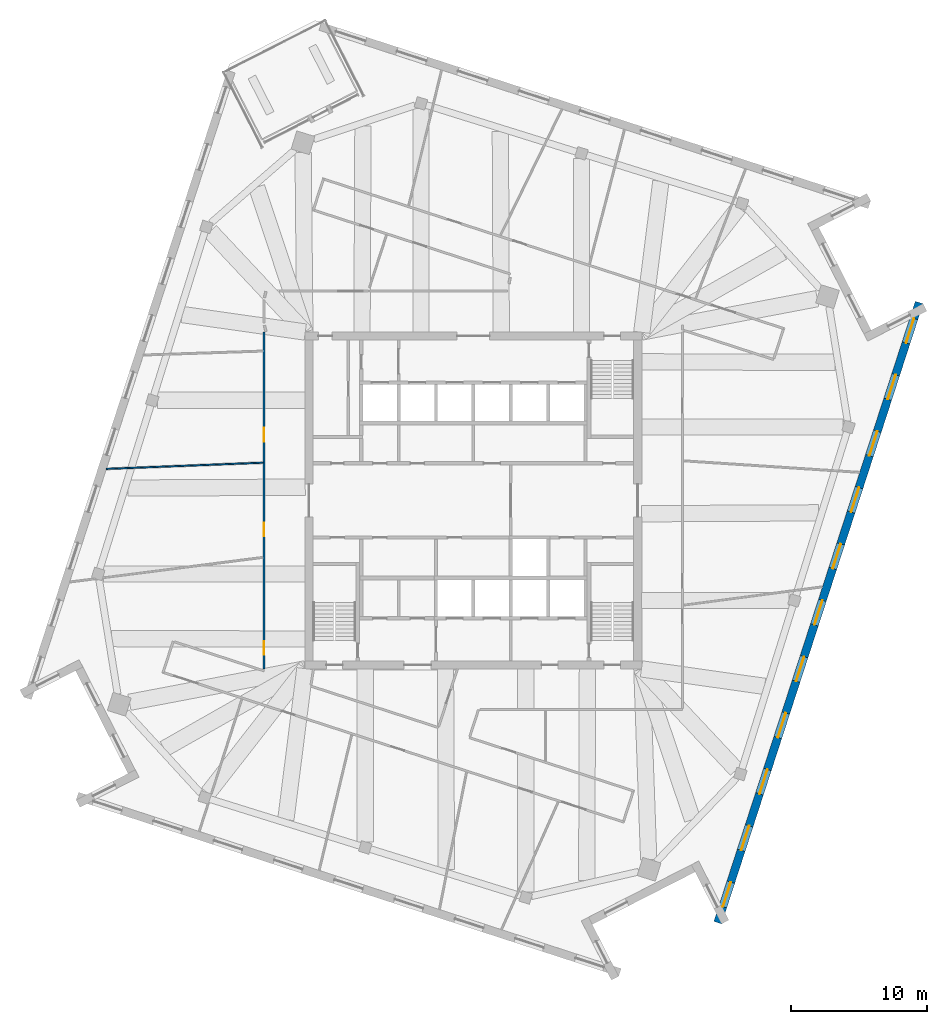
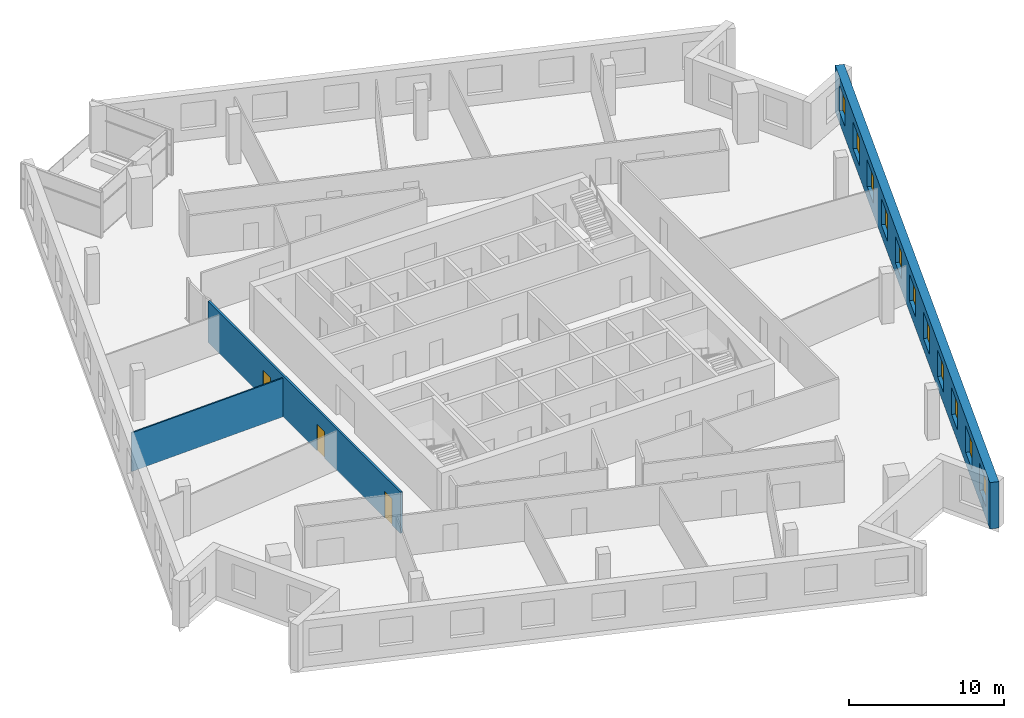
# One storey, part 8 of 13: 11 windows, 3 doors, 3 walls, 14 openings.
"""IFC4 building model written with IfcOpenShell, lengths in metres."""

from ifc_helpers import new_model, si_unit, direction, frame, frame_2d, origin, place, context, subcontext, project, spatial, rectangle, extrude, material, layer, layer_set, type_object, element, fill, save


model = new_model("IFC4")

# Units and contexts
model_context = context("Model", 3, precision=1e-05, world=origin(), true_north=direction((0.0, 1.0)))
body_context = subcontext(model_context, "Body", "Model", "MODEL_VIEW")
ifc_project = project(units=[si_unit("LENGTHUNIT", "METRE"), si_unit("AREAUNIT", "SQUARE_METRE"), si_unit("VOLUMEUNIT", "CUBIC_METRE"), si_unit("PLANEANGLEUNIT", "RADIAN"), si_unit("MASSUNIT", "GRAM", prefix="KILO")], contexts=[model_context])

# Site, building, storey
site_placement = place(None, origin())
site = spatial("IfcSite", under=ifc_project, at=site_placement, CompositionType="ELEMENT")
building_placement = place(site_placement, origin())
building = spatial("IfcBuilding", under=site, at=building_placement, Name="Dilmun Exchange Tower", CompositionType="ELEMENT")
storey_placement = place(building_placement, frame((0.0, 0.0, 320.5)))
storey = spatial("IfcBuildingStorey", under=building, at=storey_placement, Name="L76", CompositionType="ELEMENT", Elevation=320.5)

# Wall, openings, doors
ifc_material_1 = material(Name="Corridor wall 150")
ifc_layer_1 = layer(ifc_material_1, 0.14990234375)
ifc_layer_set_1 = layer_set([ifc_layer_1], Name="Corridor wall 150")
wall_type_1 = type_object("IfcWallType", Name="Corridor wall 150", PredefinedType="PARTITIONING", material=ifc_layer_set_1)
wall_1_placement = place(storey_placement, frame((-15.39990234375, -12.39990234375, 0.0), z_axis=(0.0, 0.0, 1.0), x_axis=(0.0, 1.0, 0.0)))
wall_1 = element("IfcWall", 1, at=wall_1_placement, inside=storey, type_object=wall_type_1, Name="Corridor wall", PredefinedType="PARTITIONING", context=body_context, shape_type="SweptSolid", body=[
    extrude(rectangle(XDim=24.7998046875, YDim=0.14990234375, at=frame_2d((12.39990234375, 0.0))), origin(), (0.0, 0.0, 1.0), 3.25),
])
opening_1_placement = place(wall_1_placement, frame((1.050048828125, 0.0, 0.0)))
opening_1 = element("IfcOpeningElement", 2, at=opening_1_placement, cuts=wall_1, Name="Opening TF75-D02", PredefinedType="OPENING", context=body_context, shape_type="SweptSolid", body=[
    extrude(rectangle(XDim=1.0, YDim=2.10009765625, at=frame_2d((0.5, 1.050048828125))), frame((0.0, 0.0849609375, 0.0), z_axis=(0.0, -1.0, 0.0), x_axis=(1.0, 0.0, 0.0)), (0.0, 0.0, 1.0), 0.169921875),
])
opening_2_placement = place(wall_1_placement, frame((9.766845703125, 0.0, 0.0)))
opening_2 = element("IfcOpeningElement", 3, at=opening_2_placement, cuts=wall_1, Name="Opening TF75-D03", PredefinedType="OPENING", context=body_context, shape_type="SweptSolid", body=[
    extrude(rectangle(XDim=1.0, YDim=2.10009765625, at=frame_2d((0.5, 1.050048828125))), frame((0.0, 0.0849609375, 0.0), z_axis=(0.0, -1.0, 0.0), x_axis=(1.0, 0.0, 0.0)), (0.0, 0.0, 1.0), 0.169921875),
])
opening_3_placement = place(wall_1_placement, frame((16.732666015625, 0.0, 0.0)))
opening_3 = element("IfcOpeningElement", 4, at=opening_3_placement, cuts=wall_1, Name="Opening TF75-D04", PredefinedType="OPENING", context=body_context, shape_type="SweptSolid", body=[
    extrude(rectangle(XDim=1.0, YDim=2.10009765625, at=frame_2d((0.5, 1.050048828125))), frame((0.0, 0.0849609375, 0.0), z_axis=(0.0, -1.0, 0.0), x_axis=(1.0, 0.0, 0.0)), (0.0, 0.0, 1.0), 0.169921875),
])
ifc_material_2 = material(Name="Fire door 1000 x 2100")
door_type = type_object("IfcDoorType", Name="Fire door 1000 x 2100", OperationType="NOTDEFINED", PredefinedType="DOOR", material=ifc_material_2)
door_1_placement = place(opening_1_placement, origin())
door_1 = element("IfcDoor", 5, at=door_1_placement, inside=storey, type_object=door_type, Name="Door TF75-D02", OperationType="SINGLE_SWING_LEFT", OverallHeight=2.10009765625, OverallWidth=1.0, PredefinedType="DOOR", context=body_context, shape_type="SweptSolid", body=[
    extrude(rectangle(XDim=1.0, YDim=2.10009765625, at=frame_2d((0.5, 1.050048828125))), frame((0.0, 0.02490234375, 0.0), z_axis=(0.0, -1.0, 0.0), x_axis=(1.0, 0.0, 0.0)), (0.0, 0.0, 1.0), 0.050048828125),
])
fill(opening_1, door_1)
door_2_placement = place(opening_2_placement, origin())
door_2 = element("IfcDoor", 6, at=door_2_placement, inside=storey, type_object=door_type, Name="Door TF75-D03", OperationType="SINGLE_SWING_LEFT", OverallHeight=2.10009765625, OverallWidth=1.0, PredefinedType="DOOR", context=body_context, shape_type="SweptSolid", body=[
    extrude(rectangle(XDim=1.0, YDim=2.10009765625, at=frame_2d((0.5, 1.050048828125))), frame((0.0, 0.02490234375, 0.0), z_axis=(0.0, -1.0, 0.0), x_axis=(1.0, 0.0, 0.0)), (0.0, 0.0, 1.0), 0.050048828125),
])
fill(opening_2, door_2)
door_3_placement = place(opening_3_placement, origin())
door_3 = element("IfcDoor", 7, at=door_3_placement, inside=storey, type_object=door_type, Name="Door TF75-D04", OperationType="SINGLE_SWING_LEFT", OverallHeight=2.10009765625, OverallWidth=1.0, PredefinedType="DOOR", context=body_context, shape_type="SweptSolid", body=[
    extrude(rectangle(XDim=1.0, YDim=2.10009765625, at=frame_2d((0.5, 1.050048828125))), frame((0.0, 0.02490234375, 0.0), z_axis=(0.0, -1.0, 0.0), x_axis=(1.0, 0.0, 0.0)), (0.0, 0.0, 1.0), 0.050048828125),
])
fill(opening_3, door_3)

# Wall
ifc_material_3 = material(Name="Partition 100")
ifc_layer_2 = layer(ifc_material_3, 0.10009765625)
ifc_layer_set_2 = layer_set([ifc_layer_2], Name="Partition 100")
wall_type_2 = type_object("IfcWallType", Name="Partition 100", PredefinedType="PARTITIONING", material=ifc_layer_set_2)
wall_2_placement = place(storey_placement, frame((-27.001953125, 2.322509765625, 0.0), z_axis=(0.0, 0.0, 1.0), x_axis=(0.999209591443, 0.039751633537, 0.0)))
element("IfcWall", 8, at=wall_2_placement, inside=storey, type_object=wall_type_2, Name="Partition", PredefinedType="PARTITIONING", context=body_context, shape_type="SweptSolid", body=[
    extrude(rectangle(XDim=11.533935546875, YDim=0.10009765625, at=frame_2d((5.76708984375, 0.0))), origin(), (0.0, 0.0, 1.0), 3.050048828125),
])

# Wall, openings, windows
ifc_material_4 = material(Name="Precast concrete C50/60", Category="concrete")
ifc_layer_3 = layer(ifc_material_4, 0.60009765625)
ifc_layer_set_3 = layer_set([ifc_layer_3], Name="Precast concrete C50/60")
wall_type_3 = type_object("IfcWallType", Name="Precast stone-clad wall 600", PredefinedType="STANDARD", material=ifc_layer_set_3)
wall_3_placement = place(storey_placement, frame((17.97998046875, -31.066162109375, 0.0), z_axis=(0.0, 0.0, 1.0), x_axis=(0.30901795675, 0.9510562036, 0.0)))
wall_3 = element("IfcWall", 9, at=wall_3_placement, inside=storey, type_object=wall_type_3, Name="Facade wall L76-11", PredefinedType="STANDARD", context=body_context, shape_type="SweptSolid", body=[
    extrude(rectangle(XDim=47.979248046875, YDim=0.60009765625, at=frame_2d((23.98974609375, 0.0))), origin(), (0.0, 0.0, 1.0), 3.64990234375),
])
opening_4_placement = place(wall_3_placement, frame((1.23095703125, 0.0, 0.89990234375)))
opening_4 = element("IfcOpeningElement", 10, at=opening_4_placement, cuts=wall_3, Name="Opening W190-210", PredefinedType="OPENING", context=body_context, shape_type="SweptSolid", body=[
    extrude(rectangle(XDim=1.89990234375, YDim=2.10009765625, at=frame_2d((0.949951171875, 1.050048828125))), frame((0.0, 0.31005859375, 0.0), z_axis=(0.0, -1.0, 0.0), x_axis=(1.0, 0.0, 0.0)), (0.0, 0.0, 1.0), 0.6201171875),
])
opening_5_placement = place(wall_3_placement, frame((5.592529296875, 0.0, 0.89990234375)))
opening_5 = element("IfcOpeningElement", 11, at=opening_5_placement, cuts=wall_3, Name="Opening W190-210", PredefinedType="OPENING", context=body_context, shape_type="SweptSolid", body=[
    extrude(rectangle(XDim=1.89990234375, YDim=2.10009765625, at=frame_2d((0.949951171875, 1.050048828125))), frame((0.0, 0.31005859375, 0.0), z_axis=(0.0, -1.0, 0.0), x_axis=(1.0, 0.0, 0.0)), (0.0, 0.0, 1.0), 0.6201171875),
])
opening_6_placement = place(wall_3_placement, frame((9.954345703125, 0.0, 0.89990234375)))
opening_6 = element("IfcOpeningElement", 12, at=opening_6_placement, cuts=wall_3, Name="Opening W190-210", PredefinedType="OPENING", context=body_context, shape_type="SweptSolid", body=[
    extrude(rectangle(XDim=1.89990234375, YDim=2.10009765625, at=frame_2d((0.949951171875, 1.050048828125))), frame((0.0, 0.31005859375, 0.0), z_axis=(0.0, -1.0, 0.0), x_axis=(1.0, 0.0, 0.0)), (0.0, 0.0, 1.0), 0.6201171875),
])
opening_7_placement = place(wall_3_placement, frame((14.316162109375, 0.0, 0.89990234375)))
opening_7 = element("IfcOpeningElement", 13, at=opening_7_placement, cuts=wall_3, Name="Opening W190-210", PredefinedType="OPENING", context=body_context, shape_type="SweptSolid", body=[
    extrude(rectangle(XDim=1.89990234375, YDim=2.10009765625, at=frame_2d((0.949951171875, 1.050048828125))), frame((0.0, 0.31005859375, 0.0), z_axis=(0.0, -1.0, 0.0), x_axis=(1.0, 0.0, 0.0)), (0.0, 0.0, 1.0), 0.6201171875),
])
opening_8_placement = place(wall_3_placement, frame((18.677734375, 0.0, 0.89990234375)))
opening_8 = element("IfcOpeningElement", 14, at=opening_8_placement, cuts=wall_3, Name="Opening W190-210", PredefinedType="OPENING", context=body_context, shape_type="SweptSolid", body=[
    extrude(rectangle(XDim=1.89990234375, YDim=2.10009765625, at=frame_2d((0.949951171875, 1.050048828125))), frame((0.0, 0.31005859375, 0.0), z_axis=(0.0, -1.0, 0.0), x_axis=(1.0, 0.0, 0.0)), (0.0, 0.0, 1.0), 0.6201171875),
])
opening_9_placement = place(wall_3_placement, frame((23.03955078125, 0.0, 0.89990234375)))
opening_9 = element("IfcOpeningElement", 15, at=opening_9_placement, cuts=wall_3, Name="Opening W190-210", PredefinedType="OPENING", context=body_context, shape_type="SweptSolid", body=[
    extrude(rectangle(XDim=1.89990234375, YDim=2.10009765625, at=frame_2d((0.949951171875, 1.050048828125))), frame((0.0, 0.31005859375, 0.0), z_axis=(0.0, -1.0, 0.0), x_axis=(1.0, 0.0, 0.0)), (0.0, 0.0, 1.0), 0.6201171875),
])
opening_10_placement = place(wall_3_placement, frame((27.4013671875, 0.0, 0.89990234375)))
opening_10 = element("IfcOpeningElement", 16, at=opening_10_placement, cuts=wall_3, Name="Opening W190-210", PredefinedType="OPENING", context=body_context, shape_type="SweptSolid", body=[
    extrude(rectangle(XDim=1.89990234375, YDim=2.10009765625, at=frame_2d((0.949951171875, 1.050048828125))), frame((0.0, 0.31005859375, 0.0), z_axis=(0.0, -1.0, 0.0), x_axis=(1.0, 0.0, 0.0)), (0.0, 0.0, 1.0), 0.6201171875),
])
opening_11_placement = place(wall_3_placement, frame((31.76318359375, 0.0, 0.89990234375)))
opening_11 = element("IfcOpeningElement", 17, at=opening_11_placement, cuts=wall_3, Name="Opening W190-210", PredefinedType="OPENING", context=body_context, shape_type="SweptSolid", body=[
    extrude(rectangle(XDim=1.89990234375, YDim=2.10009765625, at=frame_2d((0.949951171875, 1.050048828125))), frame((0.0, 0.31005859375, 0.0), z_axis=(0.0, -1.0, 0.0), x_axis=(1.0, 0.0, 0.0)), (0.0, 0.0, 1.0), 0.6201171875),
])
opening_12_placement = place(wall_3_placement, frame((36.124755859375, 0.0, 0.89990234375)))
opening_12 = element("IfcOpeningElement", 18, at=opening_12_placement, cuts=wall_3, Name="Opening W190-210", PredefinedType="OPENING", context=body_context, shape_type="SweptSolid", body=[
    extrude(rectangle(XDim=1.89990234375, YDim=2.10009765625, at=frame_2d((0.949951171875, 1.050048828125))), frame((0.0, 0.31005859375, 0.0), z_axis=(0.0, -1.0, 0.0), x_axis=(1.0, 0.0, 0.0)), (0.0, 0.0, 1.0), 0.6201171875),
])
opening_13_placement = place(wall_3_placement, frame((40.486572265625, 0.0, 0.89990234375)))
opening_13 = element("IfcOpeningElement", 19, at=opening_13_placement, cuts=wall_3, Name="Opening W190-210", PredefinedType="OPENING", context=body_context, shape_type="SweptSolid", body=[
    extrude(rectangle(XDim=1.89990234375, YDim=2.10009765625, at=frame_2d((0.949951171875, 1.050048828125))), frame((0.0, 0.31005859375, 0.0), z_axis=(0.0, -1.0, 0.0), x_axis=(1.0, 0.0, 0.0)), (0.0, 0.0, 1.0), 0.6201171875),
])
opening_14_placement = place(wall_3_placement, frame((44.848388671875, 0.0, 0.89990234375)))
opening_14 = element("IfcOpeningElement", 20, at=opening_14_placement, cuts=wall_3, Name="Opening W190-210", PredefinedType="OPENING", context=body_context, shape_type="SweptSolid", body=[
    extrude(rectangle(XDim=1.89990234375, YDim=2.10009765625, at=frame_2d((0.949951171875, 1.050048828125))), frame((0.0, 0.31005859375, 0.0), z_axis=(0.0, -1.0, 0.0), x_axis=(1.0, 0.0, 0.0)), (0.0, 0.0, 1.0), 0.6201171875),
])
ifc_material_5 = material(Name="Clear low-emissivity glass in aluminium frame", Category="aluminium")
window_type = type_object("IfcWindowType", Name="Punched window 1900 x 2100", PartitioningType="DOUBLE_PANEL_VERTICAL", PredefinedType="WINDOW", material=ifc_material_5)
window_1_placement = place(opening_4_placement, origin())
window_1 = element("IfcWindow", 21, at=window_1_placement, inside=storey, type_object=window_type, Name="Window 12.1", OverallHeight=2.10009765625, OverallWidth=1.89990234375, PartitioningType="SINGLE_PANEL", PredefinedType="WINDOW", context=body_context, shape_type="SweptSolid", body=[
    extrude(rectangle(XDim=1.89990234375, YDim=2.10009765625, at=frame_2d((0.949951171875, 1.050048828125))), frame((0.0, 0.030029296875, 0.0), z_axis=(0.0, -1.0, 0.0), x_axis=(1.0, 0.0, 0.0)), (0.0, 0.0, 1.0), 0.06005859375),
])
fill(opening_4, window_1)
window_2_placement = place(opening_5_placement, origin())
window_2 = element("IfcWindow", 22, at=window_2_placement, inside=storey, type_object=window_type, Name="Window 12.2", OverallHeight=2.10009765625, OverallWidth=1.89990234375, PartitioningType="SINGLE_PANEL", PredefinedType="WINDOW", context=body_context, shape_type="SweptSolid", body=[
    extrude(rectangle(XDim=1.89990234375, YDim=2.10009765625, at=frame_2d((0.949951171875, 1.050048828125))), frame((0.0, 0.030029296875, 0.0), z_axis=(0.0, -1.0, 0.0), x_axis=(1.0, 0.0, 0.0)), (0.0, 0.0, 1.0), 0.06005859375),
])
fill(opening_5, window_2)
window_3_placement = place(opening_6_placement, origin())
window_3 = element("IfcWindow", 23, at=window_3_placement, inside=storey, type_object=window_type, Name="Window 12.3", OverallHeight=2.10009765625, OverallWidth=1.89990234375, PartitioningType="SINGLE_PANEL", PredefinedType="WINDOW", context=body_context, shape_type="SweptSolid", body=[
    extrude(rectangle(XDim=1.89990234375, YDim=2.10009765625, at=frame_2d((0.949951171875, 1.050048828125))), frame((0.0, 0.030029296875, 0.0), z_axis=(0.0, -1.0, 0.0), x_axis=(1.0, 0.0, 0.0)), (0.0, 0.0, 1.0), 0.06005859375),
])
fill(opening_6, window_3)
window_4_placement = place(opening_7_placement, origin())
window_4 = element("IfcWindow", 24, at=window_4_placement, inside=storey, type_object=window_type, Name="Window 12.4", OverallHeight=2.10009765625, OverallWidth=1.89990234375, PartitioningType="SINGLE_PANEL", PredefinedType="WINDOW", context=body_context, shape_type="SweptSolid", body=[
    extrude(rectangle(XDim=1.89990234375, YDim=2.10009765625, at=frame_2d((0.949951171875, 1.050048828125))), frame((0.0, 0.030029296875, 0.0), z_axis=(0.0, -1.0, 0.0), x_axis=(1.0, 0.0, 0.0)), (0.0, 0.0, 1.0), 0.06005859375),
])
fill(opening_7, window_4)
window_5_placement = place(opening_8_placement, origin())
window_5 = element("IfcWindow", 25, at=window_5_placement, inside=storey, type_object=window_type, Name="Window 12.5", OverallHeight=2.10009765625, OverallWidth=1.89990234375, PartitioningType="SINGLE_PANEL", PredefinedType="WINDOW", context=body_context, shape_type="SweptSolid", body=[
    extrude(rectangle(XDim=1.89990234375, YDim=2.10009765625, at=frame_2d((0.949951171875, 1.050048828125))), frame((0.0, 0.030029296875, 0.0), z_axis=(0.0, -1.0, 0.0), x_axis=(1.0, 0.0, 0.0)), (0.0, 0.0, 1.0), 0.06005859375),
])
fill(opening_8, window_5)
window_6_placement = place(opening_9_placement, origin())
window_6 = element("IfcWindow", 26, at=window_6_placement, inside=storey, type_object=window_type, Name="Window 12.6", OverallHeight=2.10009765625, OverallWidth=1.89990234375, PartitioningType="SINGLE_PANEL", PredefinedType="WINDOW", context=body_context, shape_type="SweptSolid", body=[
    extrude(rectangle(XDim=1.89990234375, YDim=2.10009765625, at=frame_2d((0.949951171875, 1.050048828125))), frame((0.0, 0.030029296875, 0.0), z_axis=(0.0, -1.0, 0.0), x_axis=(1.0, 0.0, 0.0)), (0.0, 0.0, 1.0), 0.06005859375),
])
fill(opening_9, window_6)
window_7_placement = place(opening_10_placement, origin())
window_7 = element("IfcWindow", 27, at=window_7_placement, inside=storey, type_object=window_type, Name="Window 12.7", OverallHeight=2.10009765625, OverallWidth=1.89990234375, PartitioningType="SINGLE_PANEL", PredefinedType="WINDOW", context=body_context, shape_type="SweptSolid", body=[
    extrude(rectangle(XDim=1.89990234375, YDim=2.10009765625, at=frame_2d((0.949951171875, 1.050048828125))), frame((0.0, 0.030029296875, 0.0), z_axis=(0.0, -1.0, 0.0), x_axis=(1.0, 0.0, 0.0)), (0.0, 0.0, 1.0), 0.06005859375),
])
fill(opening_10, window_7)
window_8_placement = place(opening_11_placement, origin())
window_8 = element("IfcWindow", 28, at=window_8_placement, inside=storey, type_object=window_type, Name="Window 12.8", OverallHeight=2.10009765625, OverallWidth=1.89990234375, PartitioningType="SINGLE_PANEL", PredefinedType="WINDOW", context=body_context, shape_type="SweptSolid", body=[
    extrude(rectangle(XDim=1.89990234375, YDim=2.10009765625, at=frame_2d((0.949951171875, 1.050048828125))), frame((0.0, 0.030029296875, 0.0), z_axis=(0.0, -1.0, 0.0), x_axis=(1.0, 0.0, 0.0)), (0.0, 0.0, 1.0), 0.06005859375),
])
fill(opening_11, window_8)
window_9_placement = place(opening_12_placement, origin())
window_9 = element("IfcWindow", 29, at=window_9_placement, inside=storey, type_object=window_type, Name="Window 12.9", OverallHeight=2.10009765625, OverallWidth=1.89990234375, PartitioningType="SINGLE_PANEL", PredefinedType="WINDOW", context=body_context, shape_type="SweptSolid", body=[
    extrude(rectangle(XDim=1.89990234375, YDim=2.10009765625, at=frame_2d((0.949951171875, 1.050048828125))), frame((0.0, 0.030029296875, 0.0), z_axis=(0.0, -1.0, 0.0), x_axis=(1.0, 0.0, 0.0)), (0.0, 0.0, 1.0), 0.06005859375),
])
fill(opening_12, window_9)
window_10_placement = place(opening_13_placement, origin())
window_10 = element("IfcWindow", 30, at=window_10_placement, inside=storey, type_object=window_type, Name="Window 12.10", OverallHeight=2.10009765625, OverallWidth=1.89990234375, PartitioningType="SINGLE_PANEL", PredefinedType="WINDOW", context=body_context, shape_type="SweptSolid", body=[
    extrude(rectangle(XDim=1.89990234375, YDim=2.10009765625, at=frame_2d((0.949951171875, 1.050048828125))), frame((0.0, 0.030029296875, 0.0), z_axis=(0.0, -1.0, 0.0), x_axis=(1.0, 0.0, 0.0)), (0.0, 0.0, 1.0), 0.06005859375),
])
fill(opening_13, window_10)
window_11_placement = place(opening_14_placement, origin())
window_11 = element("IfcWindow", 31, at=window_11_placement, inside=storey, type_object=window_type, Name="Window 12.11", OverallHeight=2.10009765625, OverallWidth=1.89990234375, PartitioningType="SINGLE_PANEL", PredefinedType="WINDOW", context=body_context, shape_type="SweptSolid", body=[
    extrude(rectangle(XDim=1.89990234375, YDim=2.10009765625, at=frame_2d((0.949951171875, 1.050048828125))), frame((0.0, 0.030029296875, 0.0), z_axis=(0.0, -1.0, 0.0), x_axis=(1.0, 0.0, 0.0)), (0.0, 0.0, 1.0), 0.06005859375),
])
fill(opening_14, window_11)

save(model, "model.ifc")
